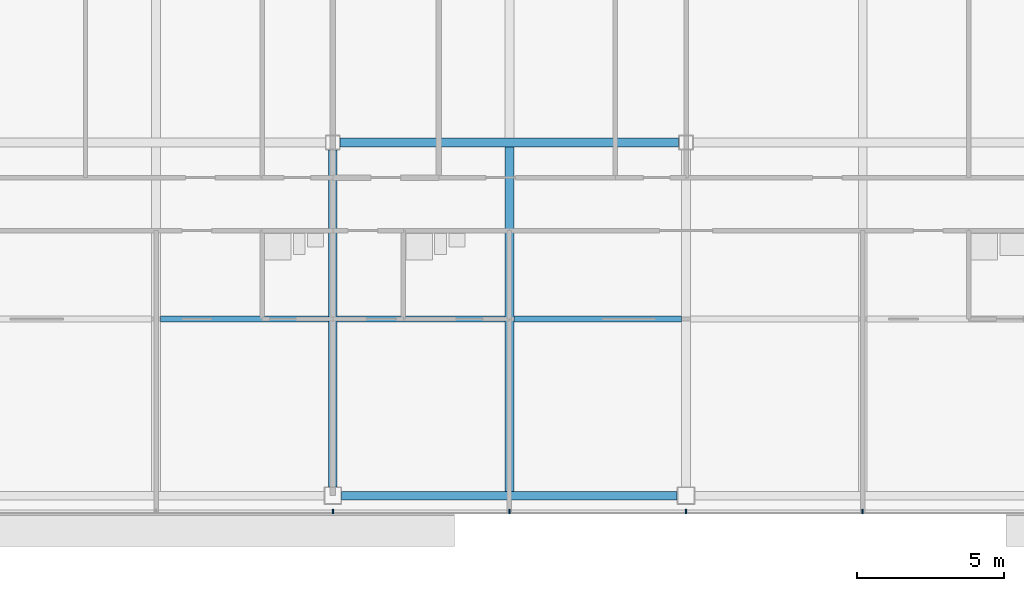
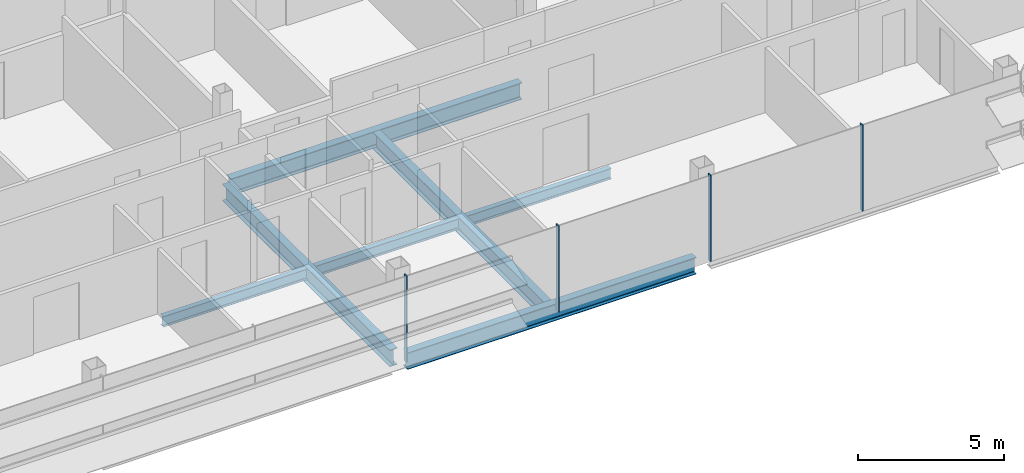
# One storey, part 9 of 28: 7 beams, 4 members, 1 element without a shape of its own.
"""IFC4 building model written with IfcOpenShell, lengths in metres."""

import ifcopenshell
import ifcopenshell.guid

model = None  # the IFC model being written
_history = None  # IfcOwnerHistory: only IFC2X3 demands one
_inside = {}  # id of a spatial element -> (the spatial element, [elements in it])
_under = {}  # id of a project, library or spatial element -> (it, [spatial elements below it])
_declared = {}  # id of a project -> (the project, [libraries it declares])
_typed = {}  # id of a type object -> (the type object, [elements of that type])
_made_of = {}  # id of a material, layer set ... -> (it, [elements and type objects made of it])


def new_model(schema):
    """Start an empty IFC model of exactly this schema.

    Asked for "IFC4X3", IfcOpenShell would pick the latest addendum, in which some entities
    have other attributes; the version numbers below select the first issue.
    IFC2X3 requires an IfcOwnerHistory on every rooted entity: one is made here for all.
    """
    global model, _history
    if schema == "IFC4X3":
        model = ifcopenshell.file(schema_version=(4, 3, 0, 0))
    else:
        model = ifcopenshell.file(schema=schema)
    _inside.clear()
    _under.clear()
    _declared.clear()
    _typed.clear()
    _made_of.clear()
    _history = None
    if model.schema == "IFC2X3":
        org = make("IfcOrganization", Name="unknown")
        user = make(
            "IfcPersonAndOrganization",
            ThePerson=make("IfcPerson", FamilyName="unknown"),
            TheOrganization=org,
        )
        app = make(
            "IfcApplication",
            ApplicationDeveloper=org,
            Version="unknown",
            ApplicationFullName="unknown",
            ApplicationIdentifier="unknown",
        )
        _history = make(
            "IfcOwnerHistory",
            OwningUser=user,
            OwningApplication=app,
            ChangeAction="ADDED",
            CreationDate=0,
        )
    return model


def make(cls, **values):
    """One entity of the class cls with the attributes given. An attribute that is None is left unset."""
    return model.create_entity(
        cls, **{name: value for name, value in values.items() if value is not None}
    )


def rooted(cls, **values):
    """An entity with a GlobalId (a new one), such as an element, a storey or a relation."""
    return make(cls, GlobalId=ifcopenshell.guid.new(), OwnerHistory=_history, **values)


def si_unit(unit_type, name, prefix=None):
    """IfcSIUnit, for example si_unit("LENGTHUNIT", "METRE", prefix="MILLI")."""
    return make("IfcSIUnit", UnitType=unit_type, Prefix=prefix, Name=name)


def assignment(units):
    """IfcUnitAssignment: the units of a project."""
    return None if units is None else make("IfcUnitAssignment", Units=units)


def point(xyz):
    """IfcCartesianPoint."""
    return None if xyz is None else make("IfcCartesianPoint", Coordinates=xyz)


def direction(xyz):
    """IfcDirection."""
    return None if xyz is None else make("IfcDirection", DirectionRatios=xyz)


def frame(location, z_axis=None, x_axis=None):
    """IfcAxis2Placement3D, a coordinate frame: its origin and axes. An axis left out is left unset."""
    return make(
        "IfcAxis2Placement3D",
        Location=point(location),
        Axis=direction(z_axis),
        RefDirection=direction(x_axis),
    )


def frame_2d(location, x_axis=None):
    """IfcAxis2Placement2D, a coordinate frame in the plane: its origin and x axis."""
    return make(
        "IfcAxis2Placement2D", Location=point(location), RefDirection=direction(x_axis)
    )


def origin():
    """The frame at (0, 0, 0) with its axes left unset."""
    return frame((0.0, 0.0, 0.0))


def origin_2d():
    """The frame at (0, 0) in the plane with its x axis left unset."""
    return frame_2d((0.0, 0.0))


def place(relative_to, where):
    """IfcLocalPlacement: puts the frame where relative to a parent placement (None: the world)."""
    return make(
        "IfcLocalPlacement", PlacementRelTo=relative_to, RelativePlacement=where
    )


def context(
    kind, dimensions, precision=None, world=None, true_north=None, identifier=None
):
    """IfcGeometricRepresentationContext, for example the 3D "Model" context."""
    return make(
        "IfcGeometricRepresentationContext",
        ContextIdentifier=identifier,
        ContextType=kind,
        CoordinateSpaceDimension=dimensions,
        Precision=precision,
        WorldCoordinateSystem=world,
        TrueNorth=true_north,
    )


def subcontext(parent, identifier, kind, view, scale=None):
    """IfcGeometricRepresentationSubContext, for example "Body" below "Model"."""
    return make(
        "IfcGeometricRepresentationSubContext",
        ContextIdentifier=identifier,
        ContextType=kind,
        ParentContext=parent,
        TargetScale=scale,
        TargetView=view,
    )


def project(units=None, contexts=None):
    """IfcProject with its units and contexts."""
    return rooted(
        "IfcProject",
        Name="project",
        RepresentationContexts=contexts,
        UnitsInContext=assignment(units),
    )


def spatial(cls, under=None, at=None, **own):
    """A site, building, storey or space (cls), placed at a placement, below another one or the project."""
    s = rooted(cls, ObjectPlacement=at, **own)
    if under is not None:
        _under.setdefault(under.id(), (under, []))[1].append(s)
    return s


def profile(cls, at=None, kind="AREA", **sizes):
    """A parametric profile (cls). Its sizes go by their IFC names, for example OverallWidth=200.0."""
    return make(cls, ProfileType=kind, Position=at, **sizes)


def rectangle(**sizes):
    """IfcRectangleProfileDef."""
    return profile("IfcRectangleProfileDef", **sizes)


def i_section(**sizes):
    """IfcIShapeProfileDef."""
    return profile("IfcIShapeProfileDef", **sizes)


def extrude(swept, where, along, depth):
    """IfcExtrudedAreaSolid: the profile swept, set in the frame where, extruded along a direction by depth."""
    return make(
        "IfcExtrudedAreaSolid",
        SweptArea=swept,
        Position=where,
        ExtrudedDirection=direction(along),
        Depth=depth,
    )


def shape(context_of_items, identifier, shape_type, items):
    """IfcShapeRepresentation: the items that make up one representation, for example the "Body"."""
    return make(
        "IfcShapeRepresentation",
        ContextOfItems=context_of_items,
        RepresentationIdentifier=identifier,
        RepresentationType=shape_type,
        Items=items,
    )


def material(Name=None, Category=None):
    """IfcMaterial."""
    return make("IfcMaterial", Name=Name, Category=Category)


def material_profile(
    of_material, cross_section, Name=None, Category=None, Priority=None
):
    """IfcMaterialProfile: a cross section and its material."""
    return make(
        "IfcMaterialProfile",
        Name=Name,
        Material=of_material,
        Profile=cross_section,
        Priority=Priority,
        Category=Category,
    )


def profile_set(profiles, Name=None, composite=None):
    """IfcMaterialProfileSet."""
    return make(
        "IfcMaterialProfileSet",
        Name=Name,
        MaterialProfiles=profiles,
        CompositeProfile=composite,
    )


def made_of(thing, what):
    """Note that an element or type object is made of a material, layer set ...; save() writes the relation."""
    if what is not None:
        _made_of.setdefault(what.id(), (what, []))[1].append(thing)
    return thing


def type_object(cls, material=None, **own):
    """A type object (cls), such as IfcWallType, which elements share."""
    return made_of(rooted(cls, **own), material)


def element(
    cls,
    number,
    at=None,
    inside=None,
    cuts=None,
    type_object=None,
    material=None,
    context=None,
    identifier="Body",
    shape_type=None,
    held_by="IfcProductDefinitionShape",
    body=None,
    shapes=None,
    **own,
):
    """One element of the class cls, such as IfcWall. Its Tag is "e" and its number.

    at: its placement. inside: the storey or other place that contains it. cuts: it is an
    opening in that element (IfcRelVoidsElement). A single representation is given by context,
    identifier, shape_type and body (its items); several are given by shapes. held_by: the class
    of the entity that holds the representations. save() writes the other relations.
    """
    e = rooted(cls, Tag="e%d" % number, ObjectPlacement=at, **own)
    if body is not None:
        shapes = [shape(context, identifier, shape_type, body)]
    if shapes is not None:
        e.Representation = make(held_by, Representations=shapes)
    if inside is not None:
        _inside.setdefault(inside.id(), (inside, []))[1].append(e)
    if cuts is not None:
        rooted(
            "IfcRelVoidsElement", RelatingBuildingElement=cuts, RelatedOpeningElement=e
        )
    if type_object is not None:
        _typed.setdefault(type_object.id(), (type_object, []))[1].append(e)
    return made_of(e, material)


def aggregate(whole, parts):
    """IfcRelAggregates: a whole, such as a stair, and the parts it consists of."""
    return rooted("IfcRelAggregates", RelatingObject=whole, RelatedObjects=parts)


def save(model, path):
    """Write the relations noted so far, then the file.

    IfcRelAggregates (storeys below a building ...), IfcRelContainedInSpatialStructure (elements
    in a storey), IfcRelDefinesByType, IfcRelAssociatesMaterial and IfcRelDeclares: one each for
    every whole, place, type object, material and project.
    """
    for whole, parts in _under.values():
        aggregate(whole, parts)
    for where, things in _inside.values():
        rooted(
            "IfcRelContainedInSpatialStructure",
            RelatedElements=things,
            RelatingStructure=where,
        )
    for kind, things in _typed.values():
        rooted("IfcRelDefinesByType", RelatedObjects=things, RelatingType=kind)
    for what, things in _made_of.values():
        rooted("IfcRelAssociatesMaterial", RelatedObjects=things, RelatingMaterial=what)
    for by, libraries in _declared.values():
        rooted("IfcRelDeclares", RelatingContext=by, RelatedDefinitions=libraries)
    model.write(path)


model = new_model("IFC4")

# Units and contexts
model_context = context("Model", 3, precision=1e-05, world=origin(), true_north=direction((0.0, 1.0)))
body_context = subcontext(model_context, "Body", "Model", "MODEL_VIEW")
ifc_project = project(units=[si_unit("LENGTHUNIT", "METRE"), si_unit("AREAUNIT", "SQUARE_METRE"), si_unit("VOLUMEUNIT", "CUBIC_METRE"), si_unit("PLANEANGLEUNIT", "RADIAN"), si_unit("MASSUNIT", "GRAM", prefix="KILO")], contexts=[model_context])

# Site, building, storey
site_placement = place(None, origin())
site = spatial("IfcSite", under=ifc_project, at=site_placement, CompositionType="ELEMENT")
building_placement = place(site_placement, origin())
building = spatial("IfcBuilding", under=site, at=building_placement, Name="Sorahane Residences", CompositionType="ELEMENT")
storey_placement = place(building_placement, frame((0.0, 0.0, 266.60009765625)))
storey = spatial("IfcBuildingStorey", under=building, at=storey_placement, Name="L63", CompositionType="ELEMENT", Elevation=266.60009765625)

# Curtain wall, members
ifc_material_1 = material(Name="Dark low-e glass and black anodised aluminium", Category="aluminium")
curtain_wall_type = type_object("IfcCurtainWallType", Name="Curtain wall CW-1 Typical unitised wall", PredefinedType="NOTDEFINED", material=ifc_material_1)
curtain_wall_placement = place(storey_placement, origin())
curtain_wall = element("IfcCurtainWall", 1, at=curtain_wall_placement, inside=storey, type_object=curtain_wall_type, Name="CW-1 curtain wall L63 S1", PredefinedType="NOTDEFINED")
ifc_material_2 = material(Name="Black anodised aluminium", Category="aluminium")
ifc_material_profile_1 = material_profile(ifc_material_2, rectangle(XDim=0.159912109375, YDim=0.050048828125, at=origin_2d()), Name="Curtain wall mullion CW-1 black anodised aluminium 50x160")
ifc_profile_set_1 = profile_set([ifc_material_profile_1], Name="Black anodised aluminium")
member_type = type_object("IfcMemberType", Name="Curtain wall mullion CW-1 black anodised aluminium 50x160", PredefinedType="MULLION", material=ifc_profile_set_1)
member_1_placement = place(storey_placement, frame((24.0, -0.5400390625, -0.18017578125), z_axis=(0.0, 0.0, 1.0), x_axis=(0.0, -1.0, 0.0)))
member_1 = element("IfcMember", 2, at=member_1_placement, type_object=member_type, Name="CW-1 mullion L63 S1.6", PredefinedType="MULLION", context=body_context, shape_type="SweptSolid", body=[
    extrude(rectangle(XDim=0.159912109375, YDim=0.050048828125, at=origin_2d()), origin(), (0.0, 0.0, 1.0), 3.60009765625),
])
member_2_placement = place(storey_placement, frame((30.0, -0.5400390625, -0.18017578125), z_axis=(0.0, 0.0, 1.0), x_axis=(0.0, -1.0, 0.0)))
member_2 = element("IfcMember", 3, at=member_2_placement, type_object=member_type, Name="CW-1 mullion L63 S1.7", PredefinedType="MULLION", context=body_context, shape_type="SweptSolid", body=[
    extrude(rectangle(XDim=0.159912109375, YDim=0.050048828125, at=origin_2d()), origin(), (0.0, 0.0, 1.0), 3.60009765625),
])
member_3_placement = place(storey_placement, frame((36.0, -0.5400390625, -0.18017578125), z_axis=(0.0, 0.0, 1.0), x_axis=(0.0, -1.0, 0.0)))
member_3 = element("IfcMember", 4, at=member_3_placement, type_object=member_type, Name="CW-1 mullion L63 S1.8", PredefinedType="MULLION", context=body_context, shape_type="SweptSolid", body=[
    extrude(rectangle(XDim=0.159912109375, YDim=0.050048828125, at=origin_2d()), origin(), (0.0, 0.0, 1.0), 3.60009765625),
])
member_4_placement = place(storey_placement, frame((42.0, -0.5400390625, -0.18017578125), z_axis=(0.0, 0.0, 1.0), x_axis=(0.0, -1.0, 0.0)))
member_4 = element("IfcMember", 5, at=member_4_placement, type_object=member_type, Name="CW-1 mullion L63 S1.9", PredefinedType="MULLION", context=body_context, shape_type="SweptSolid", body=[
    extrude(rectangle(XDim=0.159912109375, YDim=0.050048828125, at=origin_2d()), origin(), (0.0, 0.0, 1.0), 3.60009765625),
])
aggregate(curtain_wall, [member_1, member_2, member_3, member_4])

# Beams
ifc_material_3 = material(Name="Steel Q355B", Category="steel")
ifc_material_profile_2 = material_profile(ifc_material_3, i_section(OverallWidth=0.199951171875, OverallDepth=0.449951171875, WebThickness=0.009033203125, FlangeThickness=0.013916015625, FilletRadius=0.02001953125, at=origin_2d()), Name="HN 450x200x9x14")
ifc_profile_set_2 = profile_set([ifc_material_profile_2], Name="Steel Q355B")
beam_type_1 = type_object("IfcBeamType", Name="Steel floor beam HN 450x200x9x14 Q355B", PredefinedType="BEAM", material=ifc_profile_set_2)
for number, where, z_axis, x_axis, name in (
    (6, (18.14990234375, 6.0, -0.405029296875), (1.0, 0.0, 0.0), (0.0, 1.0, 0.0), "Beam L63 072"),
    (7, (24.14990234375, 6.0, -0.405029296875), (1.0, 0.0, 0.0), (0.0, 1.0, 0.0), "Beam L63 073"),
    (8, (30.14990234375, 6.0, -0.405029296875), (1.0, 0.0, 0.0), (0.0, 1.0, 0.0), "Beam L63 074"),
):
    element("IfcBeam", number, at=place(storey_placement, frame(where, z_axis=z_axis, x_axis=x_axis)), inside=storey, type_object=beam_type_1, Name=name, PredefinedType="BEAM", context=body_context, shape_type="SweptSolid", body=[
        extrude(i_section(OverallWidth=0.199951171875, OverallDepth=0.449951171875, WebThickness=0.009033203125, FlangeThickness=0.013916015625, FilletRadius=0.02001953125, at=origin_2d()), origin(), (0.0, 0.0, 1.0), 5.7001953125),
    ])
ifc_material_4 = material(Name="Steel Q355B", Category="steel")
ifc_material_profile_3 = material_profile(ifc_material_4, i_section(OverallWidth=0.300048828125, OverallDepth=0.699951171875, WebThickness=0.012939453125, FlangeThickness=0.02392578125, FilletRadius=0.028076171875, at=origin_2d()), Name="HN 700x300x13x24")
ifc_profile_set_3 = profile_set([ifc_material_profile_3], Name="Steel Q355B")
beam_type_2 = type_object("IfcBeamType", Name="Steel floor beam HN 700x300x13x24 Q355B", PredefinedType="BEAM", material=ifc_profile_set_3)
beam_1_placement = place(storey_placement, frame((24.300048828125, 0.0, -0.530029296875), z_axis=(1.0, 0.0, 0.0), x_axis=(0.0, 1.0, 0.0)))
element("IfcBeam", 9, at=beam_1_placement, inside=storey, type_object=beam_type_2, Name="Beam L63 003", PredefinedType="BEAM", context=body_context, shape_type="SweptSolid", body=[
    extrude(i_section(OverallWidth=0.300048828125, OverallDepth=0.699951171875, WebThickness=0.012939453125, FlangeThickness=0.02392578125, FilletRadius=0.028076171875, at=origin_2d()), origin(), (0.0, 0.0, 1.0), 11.39990234375),
])
beam_2_placement = place(storey_placement, frame((24.25, 12.0, -0.530029296875), z_axis=(1.0, 0.0, 0.0), x_axis=(0.0, 1.0, 0.0)))
element("IfcBeam", 10, at=beam_2_placement, inside=storey, type_object=beam_type_2, Name="Beam L63 008", PredefinedType="BEAM", context=body_context, shape_type="SweptSolid", body=[
    extrude(i_section(OverallWidth=0.300048828125, OverallDepth=0.699951171875, WebThickness=0.012939453125, FlangeThickness=0.02392578125, FilletRadius=0.028076171875, at=origin_2d()), origin(), (0.0, 0.0, 1.0), 11.5),
])
beam_3_placement = place(storey_placement, frame((24.0, 0.300048828125, -0.530029296875), z_axis=(0.0, 1.0, 0.0), x_axis=(-1.0, 0.0, 0.0)))
element("IfcBeam", 11, at=beam_3_placement, inside=storey, type_object=beam_type_2, Name="Beam L63 042", PredefinedType="BEAM", context=body_context, shape_type="SweptSolid", body=[
    extrude(i_section(OverallWidth=0.300048828125, OverallDepth=0.699951171875, WebThickness=0.012939453125, FlangeThickness=0.02392578125, FilletRadius=0.028076171875, at=origin_2d()), origin(), (0.0, 0.0, 1.0), 11.449951171875),
])
beam_4_placement = place(storey_placement, frame((30.0, 0.14990234375, -0.530029296875), z_axis=(0.0, 1.0, 0.0), x_axis=(-1.0, 0.0, 0.0)))
element("IfcBeam", 12, at=beam_4_placement, inside=storey, type_object=beam_type_2, Name="Beam L63 044", PredefinedType="BEAM", context=body_context, shape_type="SweptSolid", body=[
    extrude(i_section(OverallWidth=0.300048828125, OverallDepth=0.699951171875, WebThickness=0.012939453125, FlangeThickness=0.02392578125, FilletRadius=0.028076171875, at=origin_2d()), origin(), (0.0, 0.0, 1.0), 11.7001953125),
])

save(model, "model.ifc")
